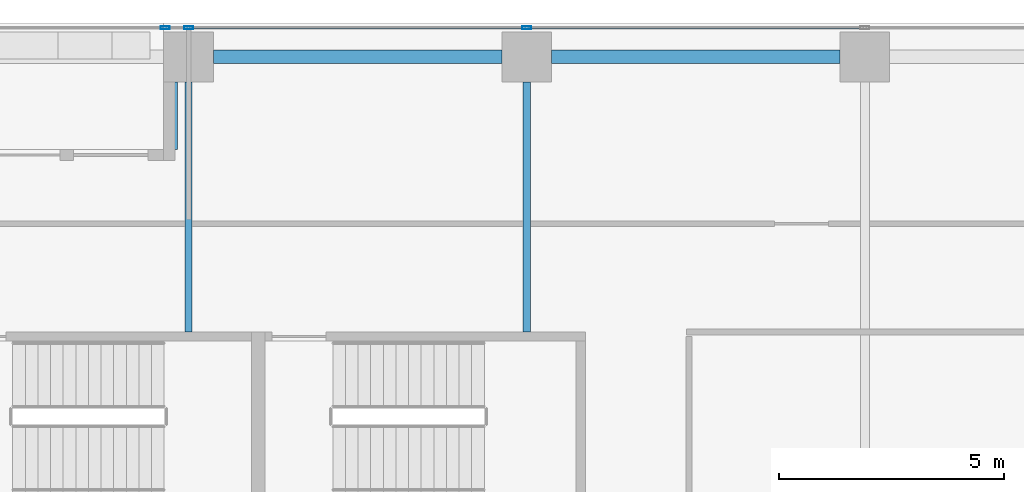
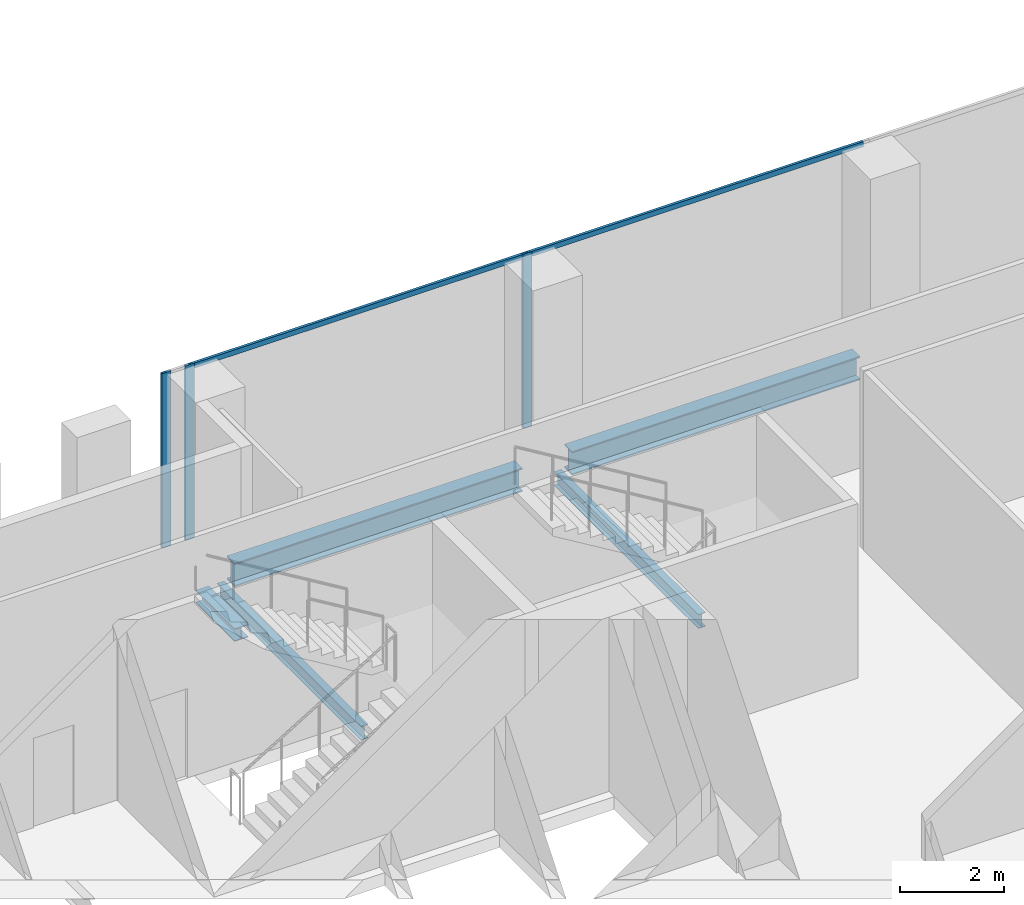
# One storey, part 17 of 34: 5 beams, 5 members, 1 element without a shape of its own.
"""IFC4 building model written with IfcOpenShell, lengths in metres."""

import ifcopenshell
import ifcopenshell.guid

model = None  # the IFC model being written
_history = None  # IfcOwnerHistory: only IFC2X3 demands one
_inside = {}  # id of a spatial element -> (the spatial element, [elements in it])
_under = {}  # id of a project, library or spatial element -> (it, [spatial elements below it])
_declared = {}  # id of a project -> (the project, [libraries it declares])
_typed = {}  # id of a type object -> (the type object, [elements of that type])
_made_of = {}  # id of a material, layer set ... -> (it, [elements and type objects made of it])


def new_model(schema):
    """Start an empty IFC model of exactly this schema.

    Asked for "IFC4X3", IfcOpenShell would pick the latest addendum, in which some entities
    have other attributes; the version numbers below select the first issue.
    IFC2X3 requires an IfcOwnerHistory on every rooted entity: one is made here for all.
    """
    global model, _history
    if schema == "IFC4X3":
        model = ifcopenshell.file(schema_version=(4, 3, 0, 0))
    else:
        model = ifcopenshell.file(schema=schema)
    _inside.clear()
    _under.clear()
    _declared.clear()
    _typed.clear()
    _made_of.clear()
    _history = None
    if model.schema == "IFC2X3":
        org = make("IfcOrganization", Name="unknown")
        user = make(
            "IfcPersonAndOrganization",
            ThePerson=make("IfcPerson", FamilyName="unknown"),
            TheOrganization=org,
        )
        app = make(
            "IfcApplication",
            ApplicationDeveloper=org,
            Version="unknown",
            ApplicationFullName="unknown",
            ApplicationIdentifier="unknown",
        )
        _history = make(
            "IfcOwnerHistory",
            OwningUser=user,
            OwningApplication=app,
            ChangeAction="ADDED",
            CreationDate=0,
        )
    return model


def make(cls, **values):
    """One entity of the class cls with the attributes given. An attribute that is None is left unset."""
    return model.create_entity(
        cls, **{name: value for name, value in values.items() if value is not None}
    )


def rooted(cls, **values):
    """An entity with a GlobalId (a new one), such as an element, a storey or a relation."""
    return make(cls, GlobalId=ifcopenshell.guid.new(), OwnerHistory=_history, **values)


def si_unit(unit_type, name, prefix=None):
    """IfcSIUnit, for example si_unit("LENGTHUNIT", "METRE", prefix="MILLI")."""
    return make("IfcSIUnit", UnitType=unit_type, Prefix=prefix, Name=name)


def assignment(units):
    """IfcUnitAssignment: the units of a project."""
    return None if units is None else make("IfcUnitAssignment", Units=units)


def point(xyz):
    """IfcCartesianPoint."""
    return None if xyz is None else make("IfcCartesianPoint", Coordinates=xyz)


def direction(xyz):
    """IfcDirection."""
    return None if xyz is None else make("IfcDirection", DirectionRatios=xyz)


def frame(location, z_axis=None, x_axis=None):
    """IfcAxis2Placement3D, a coordinate frame: its origin and axes. An axis left out is left unset."""
    return make(
        "IfcAxis2Placement3D",
        Location=point(location),
        Axis=direction(z_axis),
        RefDirection=direction(x_axis),
    )


def frame_2d(location, x_axis=None):
    """IfcAxis2Placement2D, a coordinate frame in the plane: its origin and x axis."""
    return make(
        "IfcAxis2Placement2D", Location=point(location), RefDirection=direction(x_axis)
    )


def origin():
    """The frame at (0, 0, 0) with its axes left unset."""
    return frame((0.0, 0.0, 0.0))


def origin_2d():
    """The frame at (0, 0) in the plane with its x axis left unset."""
    return frame_2d((0.0, 0.0))


def place(relative_to, where):
    """IfcLocalPlacement: puts the frame where relative to a parent placement (None: the world)."""
    return make(
        "IfcLocalPlacement", PlacementRelTo=relative_to, RelativePlacement=where
    )


def context(
    kind, dimensions, precision=None, world=None, true_north=None, identifier=None
):
    """IfcGeometricRepresentationContext, for example the 3D "Model" context."""
    return make(
        "IfcGeometricRepresentationContext",
        ContextIdentifier=identifier,
        ContextType=kind,
        CoordinateSpaceDimension=dimensions,
        Precision=precision,
        WorldCoordinateSystem=world,
        TrueNorth=true_north,
    )


def subcontext(parent, identifier, kind, view, scale=None):
    """IfcGeometricRepresentationSubContext, for example "Body" below "Model"."""
    return make(
        "IfcGeometricRepresentationSubContext",
        ContextIdentifier=identifier,
        ContextType=kind,
        ParentContext=parent,
        TargetScale=scale,
        TargetView=view,
    )


def project(units=None, contexts=None):
    """IfcProject with its units and contexts."""
    return rooted(
        "IfcProject",
        Name="project",
        RepresentationContexts=contexts,
        UnitsInContext=assignment(units),
    )


def spatial(cls, under=None, at=None, **own):
    """A site, building, storey or space (cls), placed at a placement, below another one or the project."""
    s = rooted(cls, ObjectPlacement=at, **own)
    if under is not None:
        _under.setdefault(under.id(), (under, []))[1].append(s)
    return s


def profile(cls, at=None, kind="AREA", **sizes):
    """A parametric profile (cls). Its sizes go by their IFC names, for example OverallWidth=200.0."""
    return make(cls, ProfileType=kind, Position=at, **sizes)


def hollow_rectangle(**sizes):
    """IfcRectangleHollowProfileDef."""
    return profile("IfcRectangleHollowProfileDef", **sizes)


def i_section(**sizes):
    """IfcIShapeProfileDef."""
    return profile("IfcIShapeProfileDef", **sizes)


def extrude(swept, where, along, depth):
    """IfcExtrudedAreaSolid: the profile swept, set in the frame where, extruded along a direction by depth."""
    return make(
        "IfcExtrudedAreaSolid",
        SweptArea=swept,
        Position=where,
        ExtrudedDirection=direction(along),
        Depth=depth,
    )


def shape(context_of_items, identifier, shape_type, items):
    """IfcShapeRepresentation: the items that make up one representation, for example the "Body"."""
    return make(
        "IfcShapeRepresentation",
        ContextOfItems=context_of_items,
        RepresentationIdentifier=identifier,
        RepresentationType=shape_type,
        Items=items,
    )


def source(mapping_origin, context_of_items, identifier, shape_type, items):
    """IfcRepresentationMap: a shape defined once, which mapped items show again and again."""
    return make(
        "IfcRepresentationMap",
        MappingOrigin=mapping_origin,
        MappedRepresentation=shape(context_of_items, identifier, shape_type, items),
    )


def transform(
    local_origin,
    x_axis=None,
    y_axis=None,
    z_axis=None,
    scale=None,
    scale2=None,
    scale3=None,
    uniform=True,
):
    """IfcCartesianTransformationOperator3D, or its non-uniform kind. x_axis, y_axis, z_axis: its Axis1, 2, 3."""
    if uniform:
        return make(
            "IfcCartesianTransformationOperator3D",
            Axis1=direction(x_axis),
            Axis2=direction(y_axis),
            LocalOrigin=point(local_origin),
            Scale=scale,
            Axis3=direction(z_axis),
        )
    return make(
        "IfcCartesianTransformationOperator3DnonUniform",
        Axis1=direction(x_axis),
        Axis2=direction(y_axis),
        LocalOrigin=point(local_origin),
        Scale=scale,
        Axis3=direction(z_axis),
        Scale2=scale2,
        Scale3=scale3,
    )


def mapped(mapping_source, mapping_target):
    """IfcMappedItem: shows the shape of a source again, moved by a transform."""
    return make(
        "IfcMappedItem", MappingSource=mapping_source, MappingTarget=mapping_target
    )


def material(Name=None, Category=None):
    """IfcMaterial."""
    return make("IfcMaterial", Name=Name, Category=Category)


def material_profile(
    of_material, cross_section, Name=None, Category=None, Priority=None
):
    """IfcMaterialProfile: a cross section and its material."""
    return make(
        "IfcMaterialProfile",
        Name=Name,
        Material=of_material,
        Profile=cross_section,
        Priority=Priority,
        Category=Category,
    )


def profile_set(profiles, Name=None, composite=None):
    """IfcMaterialProfileSet."""
    return make(
        "IfcMaterialProfileSet",
        Name=Name,
        MaterialProfiles=profiles,
        CompositeProfile=composite,
    )


def made_of(thing, what):
    """Note that an element or type object is made of a material, layer set ...; save() writes the relation."""
    if what is not None:
        _made_of.setdefault(what.id(), (what, []))[1].append(thing)
    return thing


def type_object(cls, material=None, **own):
    """A type object (cls), such as IfcWallType, which elements share."""
    return made_of(rooted(cls, **own), material)


def element(
    cls,
    number,
    at=None,
    inside=None,
    cuts=None,
    type_object=None,
    material=None,
    context=None,
    identifier="Body",
    shape_type=None,
    held_by="IfcProductDefinitionShape",
    body=None,
    shapes=None,
    **own,
):
    """One element of the class cls, such as IfcWall. Its Tag is "e" and its number.

    at: its placement. inside: the storey or other place that contains it. cuts: it is an
    opening in that element (IfcRelVoidsElement). A single representation is given by context,
    identifier, shape_type and body (its items); several are given by shapes. held_by: the class
    of the entity that holds the representations. save() writes the other relations.
    """
    e = rooted(cls, Tag="e%d" % number, ObjectPlacement=at, **own)
    if body is not None:
        shapes = [shape(context, identifier, shape_type, body)]
    if shapes is not None:
        e.Representation = make(held_by, Representations=shapes)
    if inside is not None:
        _inside.setdefault(inside.id(), (inside, []))[1].append(e)
    if cuts is not None:
        rooted(
            "IfcRelVoidsElement", RelatingBuildingElement=cuts, RelatedOpeningElement=e
        )
    if type_object is not None:
        _typed.setdefault(type_object.id(), (type_object, []))[1].append(e)
    return made_of(e, material)


def aggregate(whole, parts):
    """IfcRelAggregates: a whole, such as a stair, and the parts it consists of."""
    return rooted("IfcRelAggregates", RelatingObject=whole, RelatedObjects=parts)


def save(model, path):
    """Write the relations noted so far, then the file.

    IfcRelAggregates (storeys below a building ...), IfcRelContainedInSpatialStructure (elements
    in a storey), IfcRelDefinesByType, IfcRelAssociatesMaterial and IfcRelDeclares: one each for
    every whole, place, type object, material and project.
    """
    for whole, parts in _under.values():
        aggregate(whole, parts)
    for where, things in _inside.values():
        rooted(
            "IfcRelContainedInSpatialStructure",
            RelatedElements=things,
            RelatingStructure=where,
        )
    for kind, things in _typed.values():
        rooted("IfcRelDefinesByType", RelatedObjects=things, RelatingType=kind)
    for what, things in _made_of.values():
        rooted("IfcRelAssociatesMaterial", RelatedObjects=things, RelatingMaterial=what)
    for by, libraries in _declared.values():
        rooted("IfcRelDeclares", RelatingContext=by, RelatedDefinitions=libraries)
    model.write(path)


model = new_model("IFC4")

# Units and contexts
model_context = context("Model", 3, precision=1e-05, world=origin(), true_north=direction((0.0, 1.0)))
body_context = subcontext(model_context, "Body", "Model", "MODEL_VIEW")
ifc_project = project(units=[si_unit("LENGTHUNIT", "METRE"), si_unit("AREAUNIT", "SQUARE_METRE"), si_unit("VOLUMEUNIT", "CUBIC_METRE"), si_unit("PLANEANGLEUNIT", "RADIAN"), si_unit("MASSUNIT", "GRAM", prefix="KILO")], contexts=[model_context])

# Site, building, storey
site_placement = place(None, origin())
site = spatial("IfcSite", under=ifc_project, at=site_placement, CompositionType="ELEMENT")
building_placement = place(site_placement, origin())
building = spatial("IfcBuilding", under=site, at=building_placement, Name="Khomas Fold Tower", CompositionType="ELEMENT")
storey_placement = place(building_placement, frame((0.0, 0.0, 145.5)))
storey = spatial("IfcBuildingStorey", under=building, at=storey_placement, Name="L31", CompositionType="ELEMENT", Elevation=145.5)

# Beams
ifc_material_1 = material(Name="Steel S355", Category="steel")
ifc_material_profile_1 = material_profile(ifc_material_1, i_section(OverallWidth=0.300048828125, OverallDepth=0.550048828125, WebThickness=0.014892578125, FlangeThickness=0.029052734375, at=origin_2d()), Name="HE 550 B")
ifc_profile_set_1 = profile_set([ifc_material_profile_1], Name="Steel S355")
beam_type_1 = type_object("IfcBeamType", Name="HE 550 B spandrel SB2", PredefinedType="SPANDREL", material=ifc_profile_set_1)
shared_shape_1 = source(origin(), body_context, "Body", "SweptSolid", [
    extrude(i_section(OverallWidth=0.300048828125, OverallDepth=0.550048828125, WebThickness=0.014892578125, FlangeThickness=0.029052734375, at=origin_2d()), origin(), (0.0, 0.0, 1.0), 6.39990234375),
])
for number, where, z_axis, x_axis, name in (
    (1, (27.550048828125, 51.75, -0.574951171875), (1.0, 0.0, 0.0), (0.0, 1.0, 0.0), "SB2"),
    (2, (20.050048828125, 51.75, -0.574951171875), (1.0, 0.0, 0.0), (0.0, 1.0, 0.0), "SB2"),
):
    element("IfcBeam", number, at=place(storey_placement, frame(where, z_axis=z_axis, x_axis=x_axis)), inside=storey, type_object=beam_type_1, Name=name, PredefinedType="SPANDREL", context=body_context, shape_type="MappedRepresentation", body=[
        mapped(shared_shape_1, transform((0.0, 0.0, 0.0))),
    ])
ifc_material_2 = material(Name="Steel S355", Category="steel")
ifc_material_profile_2 = material_profile(ifc_material_2, i_section(OverallWidth=0.159912109375, OverallDepth=0.330078125, WebThickness=0.007568359375, FlangeThickness=0.011474609375, at=origin_2d()), Name="IPE 330")
ifc_profile_set_2 = profile_set([ifc_material_profile_2], Name="Steel S355")
beam_type_2 = type_object("IfcBeamType", Name="IPE 330 beam JB1", PredefinedType="BEAM", material=ifc_profile_set_2)
shared_shape_2 = source(origin(), body_context, "Body", "SweptSolid", [
    extrude(i_section(OverallWidth=0.159912109375, OverallDepth=0.330078125, WebThickness=0.007568359375, FlangeThickness=0.011474609375, at=origin_2d()), origin(), (0.0, 0.0, 1.0), 5.550048828125),
])
for number, where, z_axis, x_axis, name in (
    (3, (19.5, 45.64990234375, -0.465087890625), (0.0, 1.0, 0.0), (-1.0, 0.0, 0.0), "JB1"),
    (4, (27.0, 45.64990234375, -0.465087890625), (0.0, 1.0, 0.0), (-1.0, 0.0, 0.0), "JB1"),
):
    element("IfcBeam", number, at=place(storey_placement, frame(where, z_axis=z_axis, x_axis=x_axis)), inside=storey, type_object=beam_type_2, Name=name, PredefinedType="BEAM", context=body_context, shape_type="MappedRepresentation", body=[
        mapped(shared_shape_2, transform((0.0, 0.0, 0.0))),
    ])
ifc_material_3 = material(Name="Steel S355", Category="steel")
ifc_material_profile_3 = material_profile(ifc_material_3, i_section(OverallWidth=0.300048828125, OverallDepth=0.300048828125, WebThickness=0.010986328125, FlangeThickness=0.01904296875, at=origin_2d()), Name="HE 300 B")
ifc_profile_set_3 = profile_set([ifc_material_profile_3], Name="Steel S355")
beam_type_3 = type_object("IfcBeamType", Name="HE 300 B beam BB1", PredefinedType="BEAM", material=ifc_profile_set_3)
shared_shape_3 = source(origin(), body_context, "Body", "SweptSolid", [
    extrude(i_section(OverallWidth=0.300048828125, OverallDepth=0.300048828125, WebThickness=0.010986328125, FlangeThickness=0.01904296875, at=origin_2d()), origin(), (0.0, 0.0, 1.0), 1.5),
])
beam_placement = place(storey_placement, frame((19.10009765625, 49.699951171875, -0.449951171875), z_axis=(0.0, 1.0, 0.0), x_axis=(-1.0, 0.0, 0.0)))
element("IfcBeam", 5, at=beam_placement, inside=storey, type_object=beam_type_3, Name="BB1", PredefinedType="BEAM", context=body_context, shape_type="MappedRepresentation", body=[
    mapped(shared_shape_3, transform((0.0, 0.0, 0.0))),
])

# Curtain wall, members
ifc_material_4 = material(Name="Aluminium framed double glazing", Category="aluminium")
curtain_wall_type = type_object("IfcCurtainWallType", Name="SK-Unitised clear-glass wall, growing floors CW1", PredefinedType="NOTDEFINED", material=ifc_material_4)
curtain_wall_placement = place(storey_placement, origin())
curtain_wall = element("IfcCurtainWall", 6, at=curtain_wall_placement, inside=storey, type_object=curtain_wall_type, Name="CW1 run L31 06-0", PredefinedType="NOTDEFINED")
ifc_material_5 = material(Name="Aluminium", Category="aluminium")
ifc_material_profile_4 = material_profile(ifc_material_5, hollow_rectangle(XDim=0.06005859375, YDim=0.1201171875, WallThickness=0.00390625, at=origin_2d()), Name="SK-Unitised clear-glass wall, growing floors transom CW1-T")
ifc_profile_set_4 = profile_set([ifc_material_profile_4], Name="Aluminium")
member_type_1 = type_object("IfcMemberType", Name="SK-Unitised clear-glass wall, growing floors transom CW1-T", PredefinedType="USERDEFINED", material=ifc_profile_set_4)
shared_shape_4 = source(origin(), body_context, "Body", "SweptSolid", [
    extrude(hollow_rectangle(XDim=0.06005859375, YDim=0.1201171875, WallThickness=0.00390625, at=origin_2d()), origin(), (0.0, 0.0, 1.0), 7.43994140625),
])
member_1_placement = place(storey_placement, frame((34.469970703125, 52.39990234375, 4.0400390625), z_axis=(-1.0, 0.0, 0.0), x_axis=(0.0, -1.0, 0.0)))
member_1 = element("IfcMember", 7, at=member_1_placement, type_object=member_type_1, Name="CW1 transom 4", ObjectType="TRANSOM", PredefinedType="USERDEFINED", context=body_context, shape_type="MappedRepresentation", body=[
    mapped(shared_shape_4, transform((0.0, 0.0, 0.0))),
])
member_2_placement = place(storey_placement, frame((26.969970703125, 52.39990234375, 4.0400390625), z_axis=(-1.0, 0.0, 0.0), x_axis=(0.0, -1.0, 0.0)))
member_2 = element("IfcMember", 8, at=member_2_placement, type_object=member_type_1, Name="CW1 transom 5", ObjectType="TRANSOM", PredefinedType="USERDEFINED", context=body_context, shape_type="MappedRepresentation", body=[
    mapped(shared_shape_4, transform((0.0, 0.0, 0.0))),
])
ifc_material_6 = material(Name="Aluminium", Category="aluminium")
ifc_material_profile_5 = material_profile(ifc_material_6, hollow_rectangle(XDim=0.06005859375, YDim=0.199951171875, WallThickness=0.00390625, at=origin_2d()), Name="SK-Unitised clear-glass wall, growing floors mullion CW1-M")
ifc_profile_set_5 = profile_set([ifc_material_profile_5], Name="Aluminium")
member_type_2 = type_object("IfcMemberType", Name="SK-Unitised clear-glass wall, growing floors mullion CW1-M", PredefinedType="MULLION", material=ifc_profile_set_5)
shared_shape_5 = source(origin(), body_context, "Body", "SweptSolid", [
    extrude(hollow_rectangle(XDim=0.06005859375, YDim=0.199951171875, WallThickness=0.00390625, at=origin_2d()), origin(), (0.0, 0.0, 1.0), 4.10009765625),
])
member_3_placement = place(storey_placement, frame((27.0, 52.39990234375, 0.0), z_axis=(0.0, 0.0, 1.0), x_axis=(0.0, -1.0, 0.0)))
member_3 = element("IfcMember", 9, at=member_3_placement, type_object=member_type_2, Name="CW1 mullion 5", PredefinedType="MULLION", context=body_context, shape_type="MappedRepresentation", body=[
    mapped(shared_shape_5, transform((0.0, 0.0, 0.0))),
])
member_4_placement = place(storey_placement, frame((19.5, 52.39990234375, 0.0), z_axis=(0.0, 0.0, 1.0), x_axis=(0.0, -1.0, 0.0)))
member_4 = element("IfcMember", 10, at=member_4_placement, type_object=member_type_2, Name="CW1 mullion 6", PredefinedType="MULLION", context=body_context, shape_type="MappedRepresentation", body=[
    mapped(shared_shape_5, transform((0.0, 0.0, 0.0))),
])
member_5_placement = place(storey_placement, frame((18.97998046875, 52.39990234375, 0.0), z_axis=(0.0, 0.0, 1.0), x_axis=(0.0, -1.0, 0.0)))
member_5 = element("IfcMember", 11, at=member_5_placement, type_object=member_type_2, Name="CW1 mullion 7", PredefinedType="MULLION", context=body_context, shape_type="MappedRepresentation", body=[
    mapped(shared_shape_5, transform((0.0, 0.0, 0.0))),
])
aggregate(curtain_wall, [member_3, member_4, member_5, member_1, member_2])

save(model, "model.ifc")
